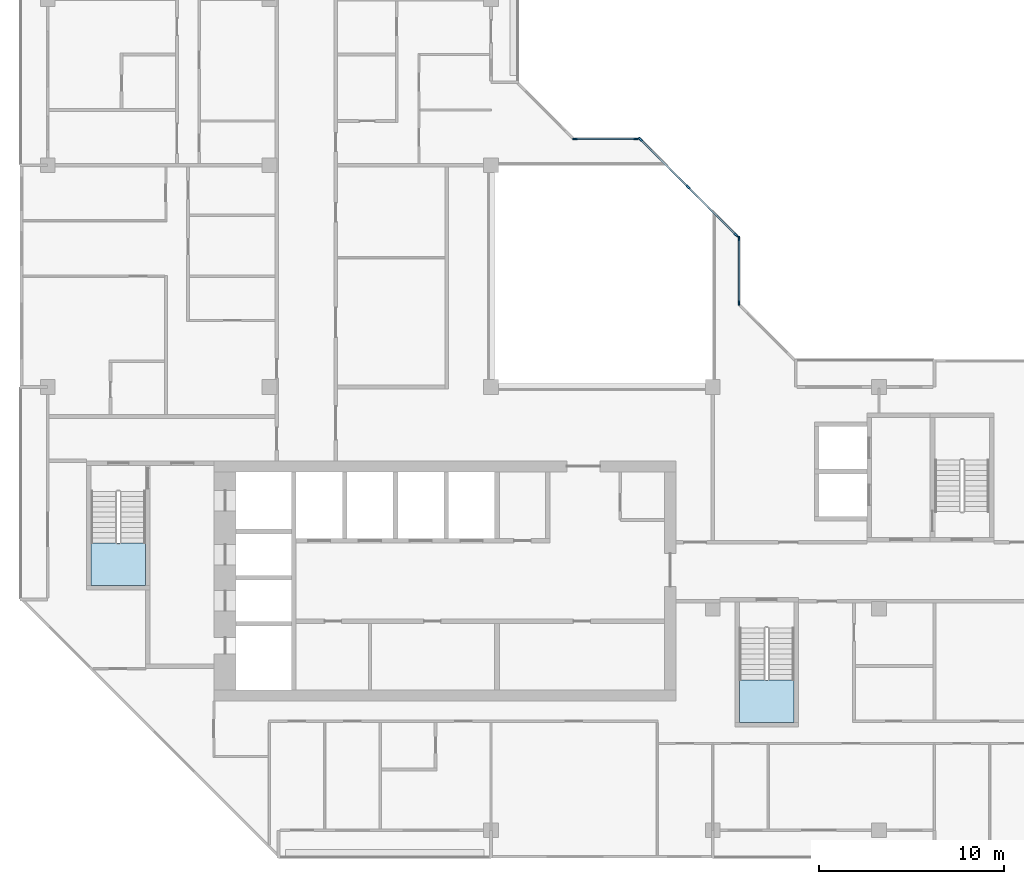
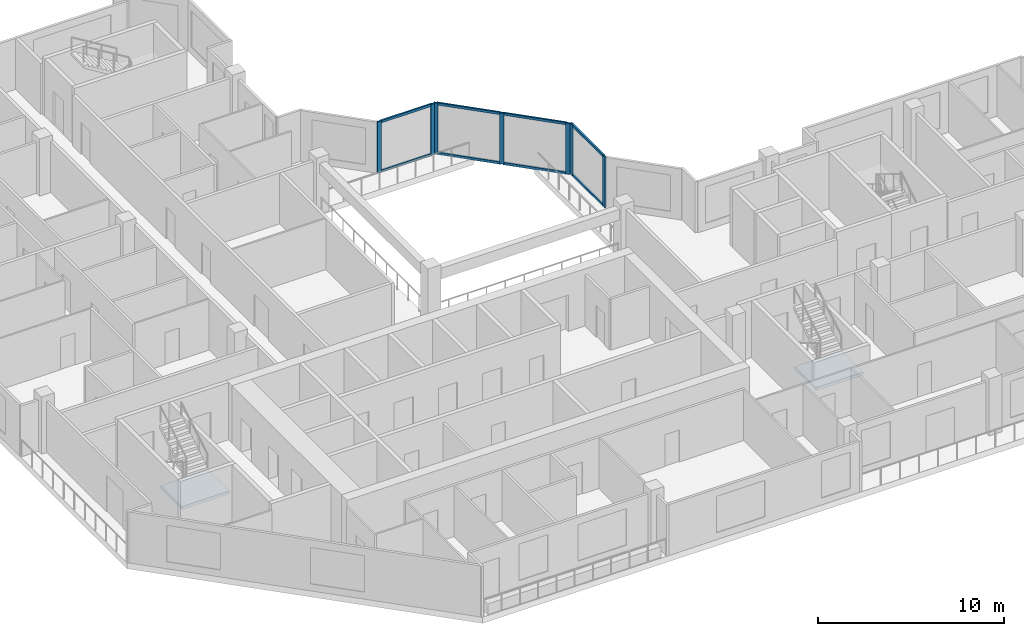
# One storey, part 2 of 13: 15 members, 2 slabs, 5 elements without a shape of their own.
"""IFC4 building model written with IfcOpenShell, lengths in metres."""

import ifcopenshell
import ifcopenshell.guid

model = None  # the IFC model being written
_history = None  # IfcOwnerHistory: only IFC2X3 demands one
_inside = {}  # id of a spatial element -> (the spatial element, [elements in it])
_under = {}  # id of a project, library or spatial element -> (it, [spatial elements below it])
_declared = {}  # id of a project -> (the project, [libraries it declares])
_typed = {}  # id of a type object -> (the type object, [elements of that type])
_made_of = {}  # id of a material, layer set ... -> (it, [elements and type objects made of it])


def new_model(schema):
    """Start an empty IFC model of exactly this schema.

    Asked for "IFC4X3", IfcOpenShell would pick the latest addendum, in which some entities
    have other attributes; the version numbers below select the first issue.
    IFC2X3 requires an IfcOwnerHistory on every rooted entity: one is made here for all.
    """
    global model, _history
    if schema == "IFC4X3":
        model = ifcopenshell.file(schema_version=(4, 3, 0, 0))
    else:
        model = ifcopenshell.file(schema=schema)
    _inside.clear()
    _under.clear()
    _declared.clear()
    _typed.clear()
    _made_of.clear()
    _history = None
    if model.schema == "IFC2X3":
        org = make("IfcOrganization", Name="unknown")
        user = make(
            "IfcPersonAndOrganization",
            ThePerson=make("IfcPerson", FamilyName="unknown"),
            TheOrganization=org,
        )
        app = make(
            "IfcApplication",
            ApplicationDeveloper=org,
            Version="unknown",
            ApplicationFullName="unknown",
            ApplicationIdentifier="unknown",
        )
        _history = make(
            "IfcOwnerHistory",
            OwningUser=user,
            OwningApplication=app,
            ChangeAction="ADDED",
            CreationDate=0,
        )
    return model


def make(cls, **values):
    """One entity of the class cls with the attributes given. An attribute that is None is left unset."""
    return model.create_entity(
        cls, **{name: value for name, value in values.items() if value is not None}
    )


def rooted(cls, **values):
    """An entity with a GlobalId (a new one), such as an element, a storey or a relation."""
    return make(cls, GlobalId=ifcopenshell.guid.new(), OwnerHistory=_history, **values)


def si_unit(unit_type, name, prefix=None):
    """IfcSIUnit, for example si_unit("LENGTHUNIT", "METRE", prefix="MILLI")."""
    return make("IfcSIUnit", UnitType=unit_type, Prefix=prefix, Name=name)


def assignment(units):
    """IfcUnitAssignment: the units of a project."""
    return None if units is None else make("IfcUnitAssignment", Units=units)


def point(xyz):
    """IfcCartesianPoint."""
    return None if xyz is None else make("IfcCartesianPoint", Coordinates=xyz)


def direction(xyz):
    """IfcDirection."""
    return None if xyz is None else make("IfcDirection", DirectionRatios=xyz)


def frame(location, z_axis=None, x_axis=None):
    """IfcAxis2Placement3D, a coordinate frame: its origin and axes. An axis left out is left unset."""
    return make(
        "IfcAxis2Placement3D",
        Location=point(location),
        Axis=direction(z_axis),
        RefDirection=direction(x_axis),
    )


def frame_2d(location, x_axis=None):
    """IfcAxis2Placement2D, a coordinate frame in the plane: its origin and x axis."""
    return make(
        "IfcAxis2Placement2D", Location=point(location), RefDirection=direction(x_axis)
    )


def origin():
    """The frame at (0, 0, 0) with its axes left unset."""
    return frame((0.0, 0.0, 0.0))


def origin_2d():
    """The frame at (0, 0) in the plane with its x axis left unset."""
    return frame_2d((0.0, 0.0))


def place(relative_to, where):
    """IfcLocalPlacement: puts the frame where relative to a parent placement (None: the world)."""
    return make(
        "IfcLocalPlacement", PlacementRelTo=relative_to, RelativePlacement=where
    )


def context(
    kind, dimensions, precision=None, world=None, true_north=None, identifier=None
):
    """IfcGeometricRepresentationContext, for example the 3D "Model" context."""
    return make(
        "IfcGeometricRepresentationContext",
        ContextIdentifier=identifier,
        ContextType=kind,
        CoordinateSpaceDimension=dimensions,
        Precision=precision,
        WorldCoordinateSystem=world,
        TrueNorth=true_north,
    )


def subcontext(parent, identifier, kind, view, scale=None):
    """IfcGeometricRepresentationSubContext, for example "Body" below "Model"."""
    return make(
        "IfcGeometricRepresentationSubContext",
        ContextIdentifier=identifier,
        ContextType=kind,
        ParentContext=parent,
        TargetScale=scale,
        TargetView=view,
    )


def project(units=None, contexts=None):
    """IfcProject with its units and contexts."""
    return rooted(
        "IfcProject",
        Name="project",
        RepresentationContexts=contexts,
        UnitsInContext=assignment(units),
    )


def spatial(cls, under=None, at=None, **own):
    """A site, building, storey or space (cls), placed at a placement, below another one or the project."""
    s = rooted(cls, ObjectPlacement=at, **own)
    if under is not None:
        _under.setdefault(under.id(), (under, []))[1].append(s)
    return s


def polyline(points):
    """IfcPolyline through the points."""
    return make("IfcPolyline", Points=[point(p) for p in points])


def profile(cls, at=None, kind="AREA", **sizes):
    """A parametric profile (cls). Its sizes go by their IFC names, for example OverallWidth=200.0."""
    return make(cls, ProfileType=kind, Position=at, **sizes)


def rectangle(**sizes):
    """IfcRectangleProfileDef."""
    return profile("IfcRectangleProfileDef", **sizes)


def outline(outer, holes=None, kind="AREA"):
    """IfcArbitraryClosedProfileDef: a profile drawn as a closed curve; with holes, ...WithVoids."""
    if holes is None:
        return make("IfcArbitraryClosedProfileDef", ProfileType=kind, OuterCurve=outer)
    return make(
        "IfcArbitraryProfileDefWithVoids",
        ProfileType=kind,
        OuterCurve=outer,
        InnerCurves=holes,
    )


def extrude(swept, where, along, depth):
    """IfcExtrudedAreaSolid: the profile swept, set in the frame where, extruded along a direction by depth."""
    return make(
        "IfcExtrudedAreaSolid",
        SweptArea=swept,
        Position=where,
        ExtrudedDirection=direction(along),
        Depth=depth,
    )


def shape(context_of_items, identifier, shape_type, items):
    """IfcShapeRepresentation: the items that make up one representation, for example the "Body"."""
    return make(
        "IfcShapeRepresentation",
        ContextOfItems=context_of_items,
        RepresentationIdentifier=identifier,
        RepresentationType=shape_type,
        Items=items,
    )


def material(Name=None, Category=None):
    """IfcMaterial."""
    return make("IfcMaterial", Name=Name, Category=Category)


def layer(
    of_material, thickness, ventilated=None, Name=None, Category=None, Priority=None
):
    """IfcMaterialLayer: one layer of a wall or slab, of a material (None: an air gap)."""
    return make(
        "IfcMaterialLayer",
        Material=of_material,
        LayerThickness=thickness,
        IsVentilated=ventilated,
        Name=Name,
        Category=Category,
        Priority=Priority,
    )


def layer_set(layers, Name=None):
    """IfcMaterialLayerSet."""
    return make("IfcMaterialLayerSet", MaterialLayers=layers, LayerSetName=Name)


def material_profile(
    of_material, cross_section, Name=None, Category=None, Priority=None
):
    """IfcMaterialProfile: a cross section and its material."""
    return make(
        "IfcMaterialProfile",
        Name=Name,
        Material=of_material,
        Profile=cross_section,
        Priority=Priority,
        Category=Category,
    )


def profile_set(profiles, Name=None, composite=None):
    """IfcMaterialProfileSet."""
    return make(
        "IfcMaterialProfileSet",
        Name=Name,
        MaterialProfiles=profiles,
        CompositeProfile=composite,
    )


def made_of(thing, what):
    """Note that an element or type object is made of a material, layer set ...; save() writes the relation."""
    if what is not None:
        _made_of.setdefault(what.id(), (what, []))[1].append(thing)
    return thing


def type_object(cls, material=None, **own):
    """A type object (cls), such as IfcWallType, which elements share."""
    return made_of(rooted(cls, **own), material)


def element(
    cls,
    number,
    at=None,
    inside=None,
    cuts=None,
    type_object=None,
    material=None,
    context=None,
    identifier="Body",
    shape_type=None,
    held_by="IfcProductDefinitionShape",
    body=None,
    shapes=None,
    **own,
):
    """One element of the class cls, such as IfcWall. Its Tag is "e" and its number.

    at: its placement. inside: the storey or other place that contains it. cuts: it is an
    opening in that element (IfcRelVoidsElement). A single representation is given by context,
    identifier, shape_type and body (its items); several are given by shapes. held_by: the class
    of the entity that holds the representations. save() writes the other relations.
    """
    e = rooted(cls, Tag="e%d" % number, ObjectPlacement=at, **own)
    if body is not None:
        shapes = [shape(context, identifier, shape_type, body)]
    if shapes is not None:
        e.Representation = make(held_by, Representations=shapes)
    if inside is not None:
        _inside.setdefault(inside.id(), (inside, []))[1].append(e)
    if cuts is not None:
        rooted(
            "IfcRelVoidsElement", RelatingBuildingElement=cuts, RelatedOpeningElement=e
        )
    if type_object is not None:
        _typed.setdefault(type_object.id(), (type_object, []))[1].append(e)
    return made_of(e, material)


def aggregate(whole, parts):
    """IfcRelAggregates: a whole, such as a stair, and the parts it consists of."""
    return rooted("IfcRelAggregates", RelatingObject=whole, RelatedObjects=parts)


def save(model, path):
    """Write the relations noted so far, then the file.

    IfcRelAggregates (storeys below a building ...), IfcRelContainedInSpatialStructure (elements
    in a storey), IfcRelDefinesByType, IfcRelAssociatesMaterial and IfcRelDeclares: one each for
    every whole, place, type object, material and project.
    """
    for whole, parts in _under.values():
        aggregate(whole, parts)
    for where, things in _inside.values():
        rooted(
            "IfcRelContainedInSpatialStructure",
            RelatedElements=things,
            RelatingStructure=where,
        )
    for kind, things in _typed.values():
        rooted("IfcRelDefinesByType", RelatedObjects=things, RelatingType=kind)
    for what, things in _made_of.values():
        rooted("IfcRelAssociatesMaterial", RelatedObjects=things, RelatingMaterial=what)
    for by, libraries in _declared.values():
        rooted("IfcRelDeclares", RelatingContext=by, RelatedDefinitions=libraries)
    model.write(path)


model = new_model("IFC4")

# Units and contexts
model_context = context("Model", 3, precision=1e-05, world=origin(), true_north=direction((0.0, 1.0)))
body_context = subcontext(model_context, "Body", "Model", "MODEL_VIEW")
ifc_project = project(units=[si_unit("LENGTHUNIT", "METRE"), si_unit("AREAUNIT", "SQUARE_METRE"), si_unit("VOLUMEUNIT", "CUBIC_METRE"), si_unit("PLANEANGLEUNIT", "RADIAN"), si_unit("MASSUNIT", "GRAM", prefix="KILO")], contexts=[model_context])

# Site, building, storey
site_placement = place(None, origin())
site = spatial("IfcSite", under=ifc_project, at=site_placement, CompositionType="ELEMENT")
building_placement = place(site_placement, origin())
building = spatial("IfcBuilding", under=site, at=building_placement, Name="Chenar Terraces", CompositionType="ELEMENT")
storey_placement = place(building_placement, frame((0.0, 0.0, 314.64990234375)))
storey = spatial("IfcBuildingStorey", under=building, at=storey_placement, Name="L74", CompositionType="ELEMENT", Elevation=314.64990234375)

# Curtain wall, members
ifc_material_1 = material(Name="Aluminium framed glazing", Category="aluminium")
ifc_layer_1 = layer(ifc_material_1, 0.14990234375)
ifc_layer_set_1 = layer_set([ifc_layer_1], Name="Aluminium framed glazing")
curtain_wall_type = type_object("IfcCurtainWallType", Name="Atrium upper-zone curtain wall", PredefinedType="NOTDEFINED", material=ifc_layer_set_1)
placement_1 = place(storey_placement, origin())
curtain_wall_1 = element("IfcCurtainWall", 1, at=placement_1, inside=storey, type_object=curtain_wall_type, Name="Atrium upper-zone curtain wall", PredefinedType="NOTDEFINED")
ifc_material_2 = material(Name="Aluminium", Category="aluminium")
ifc_material_profile_1 = material_profile(ifc_material_2, rectangle(XDim=0.10009765625, YDim=0.239990234375, at=origin_2d()), Name="Atrium upper-zone glazing mullion 100 x 240")
ifc_profile_set_1 = profile_set([ifc_material_profile_1], Name="Aluminium")
member_type_1 = type_object("IfcMemberType", Name="Atrium upper-zone glazing mullion 100 x 240", PredefinedType="MULLION", material=ifc_profile_set_1)
member_1_placement = place(storey_placement, frame((37.425048828125, 28.550048828125, 0.0), z_axis=(0.0, 0.0, 1.0), x_axis=(-1.0, 0.0, 0.0)))
member_1 = element("IfcMember", 2, at=member_1_placement, type_object=member_type_1, Name="CW8-1 mullion 1", PredefinedType="MULLION", context=body_context, shape_type="SweptSolid", body=[
    extrude(rectangle(XDim=0.10009765625, YDim=0.239990234375, at=origin_2d()), origin(), (0.0, 0.0, 1.0), 3.35009765625),
])
member_2_placement = place(storey_placement, frame((37.425048828125, 32.050048828125, 0.0), z_axis=(0.0, 0.0, 1.0), x_axis=(-1.0, 0.0, 0.0)))
member_2 = element("IfcMember", 3, at=member_2_placement, type_object=member_type_1, Name="CW8-1 mullion 2", PredefinedType="MULLION", context=body_context, shape_type="SweptSolid", body=[
    extrude(rectangle(XDim=0.10009765625, YDim=0.239990234375, at=origin_2d()), origin(), (0.0, 0.0, 1.0), 3.35009765625),
])

curtain_wall_2 = element("IfcCurtainWall", 4, at=placement_1, inside=storey, type_object=curtain_wall_type, Name="Atrium upper-zone curtain wall", PredefinedType="NOTDEFINED")
member_3_placement = place(storey_placement, frame((37.270263671875, 32.2236328125, 0.0), z_axis=(0.0, 0.0, 1.0), x_axis=(-0.707106781187, -0.707106781187, 0.0)))
member_3 = element("IfcMember", 5, at=member_3_placement, type_object=member_type_1, Name="CW8-2 mullion 1", PredefinedType="MULLION", context=body_context, shape_type="SweptSolid", body=[
    extrude(rectangle(XDim=0.10009765625, YDim=0.239990234375, at=origin_2d()), origin(), (0.0, 0.0, 1.0), 3.35009765625),
])
member_4_placement = place(storey_placement, frame((34.67626953125, 34.817626953125, 0.0), z_axis=(0.0, 0.0, 1.0), x_axis=(-0.707106781187, -0.707106781187, 0.0)))
member_4 = element("IfcMember", 6, at=member_4_placement, type_object=member_type_1, Name="CW8-2 mullion 2", PredefinedType="MULLION", context=body_context, shape_type="SweptSolid", body=[
    extrude(rectangle(XDim=0.10009765625, YDim=0.239990234375, at=origin_2d()), origin(), (0.0, 0.0, 1.0), 3.35009765625),
])
member_5_placement = place(storey_placement, frame((32.082275390625, 37.41162109375, 0.0), z_axis=(0.0, 0.0, 1.0), x_axis=(-0.707106781187, -0.707106781187, 0.0)))
member_5 = element("IfcMember", 7, at=member_5_placement, type_object=member_type_1, Name="CW8-2 mullion 3", PredefinedType="MULLION", context=body_context, shape_type="SweptSolid", body=[
    extrude(rectangle(XDim=0.10009765625, YDim=0.239990234375, at=origin_2d()), origin(), (0.0, 0.0, 1.0), 3.35009765625),
])

curtain_wall_3 = element("IfcCurtainWall", 8, at=placement_1, inside=storey, type_object=curtain_wall_type, Name="Atrium upper-zone curtain wall", PredefinedType="NOTDEFINED")
member_6_placement = place(storey_placement, frame((31.85009765625, 37.425048828125, 0.0), z_axis=(0.0, 0.0, 1.0), x_axis=(0.0, -1.0, 0.0)))
member_6 = element("IfcMember", 9, at=member_6_placement, type_object=member_type_1, Name="CW8-3 mullion 1", PredefinedType="MULLION", context=body_context, shape_type="SweptSolid", body=[
    extrude(rectangle(XDim=0.10009765625, YDim=0.239990234375, at=origin_2d()), origin(), (0.0, 0.0, 1.0), 3.35009765625),
])
member_7_placement = place(storey_placement, frame((28.550048828125, 37.425048828125, 0.0), z_axis=(0.0, 0.0, 1.0), x_axis=(0.0, -1.0, 0.0)))
member_7 = element("IfcMember", 10, at=member_7_placement, type_object=member_type_1, Name="CW8-3 mullion 2", PredefinedType="MULLION", context=body_context, shape_type="SweptSolid", body=[
    extrude(rectangle(XDim=0.10009765625, YDim=0.239990234375, at=origin_2d()), origin(), (0.0, 0.0, 1.0), 3.35009765625),
])

# Member
ifc_material_3 = material(Name="Aluminium", Category="aluminium")
ifc_material_profile_2 = material_profile(ifc_material_3, rectangle(XDim=0.10009765625, YDim=0.159912109375, at=origin_2d()), Name="Atrium upper-zone glazing transom 100 x 160")
ifc_profile_set_2 = profile_set([ifc_material_profile_2], Name="Aluminium")
member_type_2 = type_object("IfcMemberType", Name="Atrium upper-zone glazing transom 100 x 160", PredefinedType="USERDEFINED", material=ifc_profile_set_2)
member_8_placement = place(storey_placement, frame((37.425048828125, 28.60009765625, 0.050048828125), z_axis=(0.0, 1.0, 0.0), x_axis=(-1.0, 0.0, 0.0)))
member_8 = element("IfcMember", 11, at=member_8_placement, type_object=member_type_2, Name="CW8-1 transom 1.1", ObjectType="TRANSOM", PredefinedType="USERDEFINED", context=body_context, shape_type="SweptSolid", body=[
    extrude(rectangle(XDim=0.10009765625, YDim=0.159912109375, at=origin_2d()), origin(), (0.0, 0.0, 1.0), 3.39990234375),
])

member_9_placement = place(storey_placement, frame((37.425048828125, 28.60009765625, 3.300048828125), z_axis=(0.0, 1.0, 0.0), x_axis=(-1.0, 0.0, 0.0)))
member_9 = element("IfcMember", 12, at=member_9_placement, type_object=member_type_2, Name="CW8-1 transom 1.2", ObjectType="TRANSOM", PredefinedType="USERDEFINED", context=body_context, shape_type="SweptSolid", body=[
    extrude(rectangle(XDim=0.10009765625, YDim=0.159912109375, at=origin_2d()), origin(), (0.0, 0.0, 1.0), 3.39990234375),
])

aggregate(curtain_wall_1, [member_1, member_2, member_8, member_9])

member_10_placement = place(storey_placement, frame((37.23486328125, 32.259033203125, 0.050048828125), z_axis=(-0.707106781187, 0.707106781187, 0.0), x_axis=(-0.707106781187, -0.707106781187, 0.0)))
member_10 = element("IfcMember", 13, at=member_10_placement, type_object=member_type_2, Name="CW8-2 transom 1.1", ObjectType="TRANSOM", PredefinedType="USERDEFINED", context=body_context, shape_type="SweptSolid", body=[
    extrude(rectangle(XDim=0.10009765625, YDim=0.159912109375, at=origin_2d()), origin(), (0.0, 0.0, 1.0), 3.568359375),
])

member_11_placement = place(storey_placement, frame((37.23486328125, 32.259033203125, 3.300048828125), z_axis=(-0.707106781187, 0.707106781187, 0.0), x_axis=(-0.707106781187, -0.707106781187, 0.0)))
member_11 = element("IfcMember", 14, at=member_11_placement, type_object=member_type_2, Name="CW8-2 transom 1.2", ObjectType="TRANSOM", PredefinedType="USERDEFINED", context=body_context, shape_type="SweptSolid", body=[
    extrude(rectangle(XDim=0.10009765625, YDim=0.159912109375, at=origin_2d()), origin(), (0.0, 0.0, 1.0), 3.568359375),
])

member_12_placement = place(storey_placement, frame((34.640869140625, 34.85302734375, 0.050048828125), z_axis=(-0.707106781187, 0.707106781187, 0.0), x_axis=(-0.707106781187, -0.707106781187, 0.0)))
member_12 = element("IfcMember", 15, at=member_12_placement, type_object=member_type_2, Name="CW8-2 transom 2.1", ObjectType="TRANSOM", PredefinedType="USERDEFINED", context=body_context, shape_type="SweptSolid", body=[
    extrude(rectangle(XDim=0.10009765625, YDim=0.159912109375, at=origin_2d()), origin(), (0.0, 0.0, 1.0), 3.568359375),
])

member_13_placement = place(storey_placement, frame((34.640869140625, 34.85302734375, 3.300048828125), z_axis=(-0.707106781187, 0.707106781187, 0.0), x_axis=(-0.707106781187, -0.707106781187, 0.0)))
member_13 = element("IfcMember", 16, at=member_13_placement, type_object=member_type_2, Name="CW8-2 transom 2.2", ObjectType="TRANSOM", PredefinedType="USERDEFINED", context=body_context, shape_type="SweptSolid", body=[
    extrude(rectangle(XDim=0.10009765625, YDim=0.159912109375, at=origin_2d()), origin(), (0.0, 0.0, 1.0), 3.568359375),
])

aggregate(curtain_wall_2, [member_3, member_4, member_5, member_10, member_11, member_12, member_13])

member_14_placement = place(storey_placement, frame((31.800048828125, 37.425048828125, 0.050048828125), z_axis=(-1.0, 0.0, 0.0), x_axis=(0.0, -1.0, 0.0)))
member_14 = element("IfcMember", 17, at=member_14_placement, type_object=member_type_2, Name="CW8-3 transom 1.1", ObjectType="TRANSOM", PredefinedType="USERDEFINED", context=body_context, shape_type="SweptSolid", body=[
    extrude(rectangle(XDim=0.10009765625, YDim=0.159912109375, at=origin_2d()), origin(), (0.0, 0.0, 1.0), 3.199951171875),
])

member_15_placement = place(storey_placement, frame((31.800048828125, 37.425048828125, 3.300048828125), z_axis=(-1.0, 0.0, 0.0), x_axis=(0.0, -1.0, 0.0)))
member_15 = element("IfcMember", 18, at=member_15_placement, type_object=member_type_2, Name="CW8-3 transom 1.2", ObjectType="TRANSOM", PredefinedType="USERDEFINED", context=body_context, shape_type="SweptSolid", body=[
    extrude(rectangle(XDim=0.10009765625, YDim=0.159912109375, at=origin_2d()), origin(), (0.0, 0.0, 1.0), 3.199951171875),
])

aggregate(curtain_wall_3, [member_6, member_7, member_14, member_15])

# Stair, slab
ifc_material_4 = material(Name="Reinforced concrete C40/50", Category="concrete")
stair_type = type_object("IfcStairType", Name="Core stair 1400 half-turn", PredefinedType="HALF_TURN_STAIR", material=ifc_material_4)
stair_1 = element("IfcStair", 19, at=placement_1, inside=storey, type_object=stair_type, Name="L74 Stair 1", PredefinedType="HALF_TURN_STAIR")
ifc_material_5 = material(Name="Reinforced concrete C40/50", Category="concrete")
ifc_layer_2 = layer(ifc_material_5, 0.199951171875)
ifc_layer_set_2 = layer_set([ifc_layer_2], Name="Reinforced concrete C40/50")
slab_type = type_object("IfcSlabType", Name="Core stair landing 200", PredefinedType="LANDING", material=ifc_layer_set_2)
placement_2 = place(storey_placement, frame((0.0, 0.0, 1.675048828125)))
slab_1 = element("IfcSlab", 20, at=placement_2, type_object=slab_type, Name="ST1 landing 1", PredefinedType="LANDING", context=body_context, shape_type="SweptSolid", body=[
    extrude(outline(polyline([(2.35009765625, 15.550048828125), (2.35009765625, 13.25), (5.300048828125, 13.25), (5.300048828125, 15.550048828125), (2.35009765625, 15.550048828125)])), origin(), (0.0, 0.0, 1.0), 0.199951171875),
])
aggregate(stair_1, [slab_1])

stair_2 = element("IfcStair", 21, at=placement_1, inside=storey, type_object=stair_type, Name="L74 Stair 2", PredefinedType="HALF_TURN_STAIR")
slab_2 = element("IfcSlab", 22, at=placement_2, type_object=slab_type, Name="ST2 landing 1", PredefinedType="LANDING", context=body_context, shape_type="SweptSolid", body=[
    extrude(outline(polyline([(37.449951171875, 8.14990234375), (37.449951171875, 5.85009765625), (40.39990234375, 5.85009765625), (40.39990234375, 8.14990234375), (37.449951171875, 8.14990234375)])), origin(), (0.0, 0.0, 1.0), 0.199951171875),
])
aggregate(stair_2, [slab_2])

save(model, "model.ifc")
